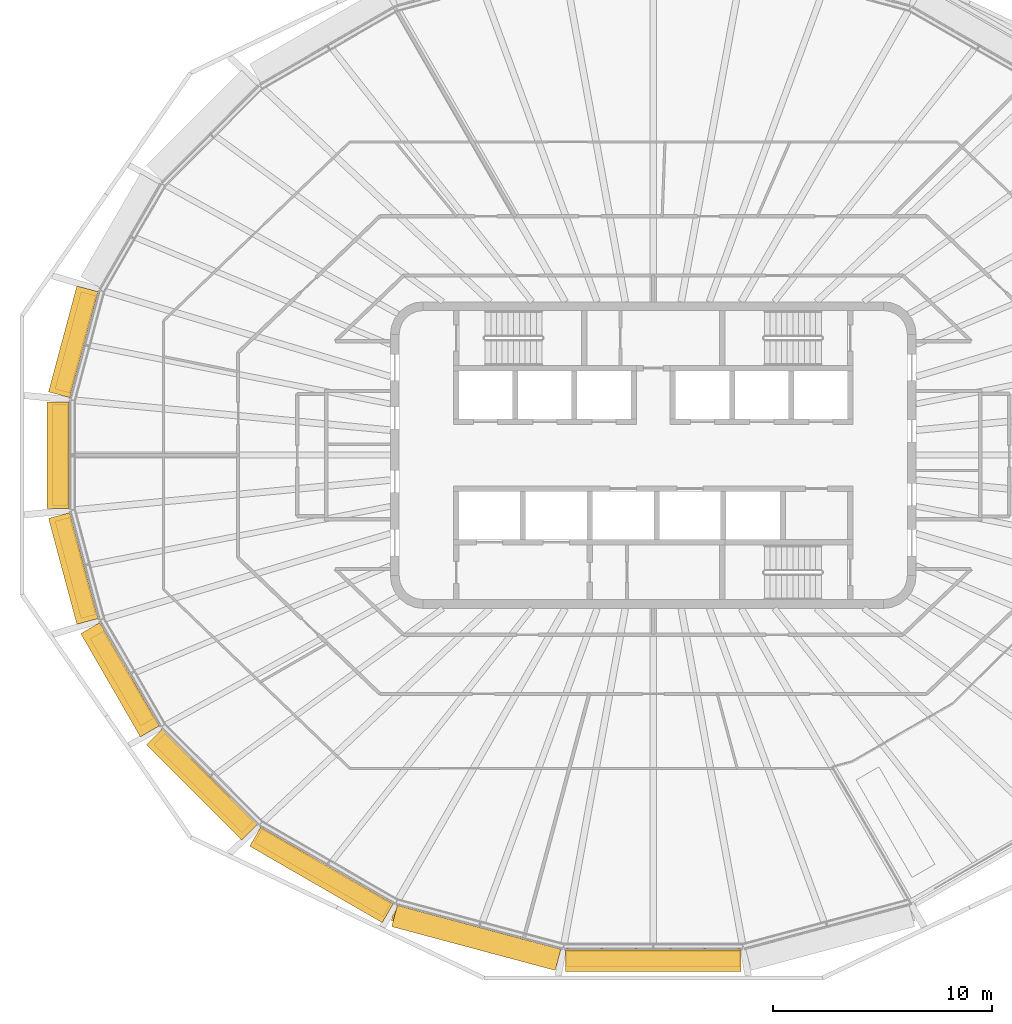
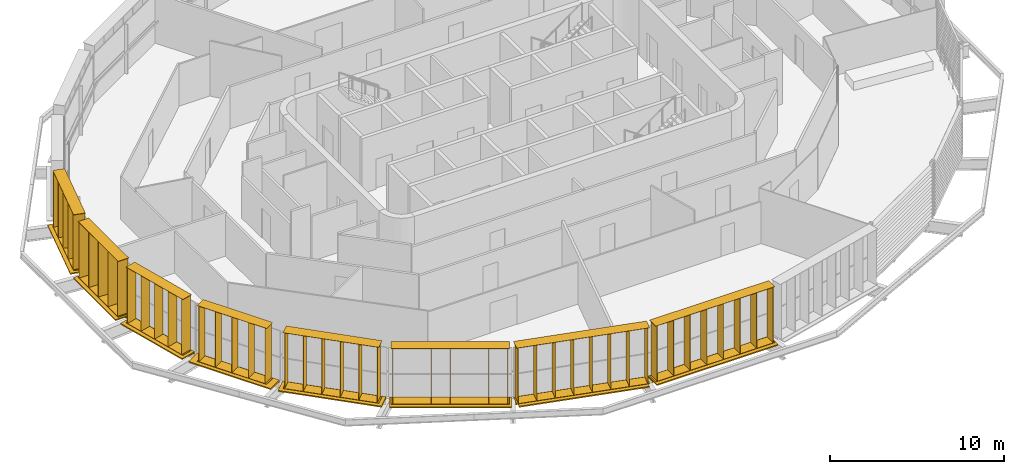
# One storey, part 16 of 21: 16 shading devices.
"""IFC4 building model written with IfcOpenShell, lengths in metres."""

from ifc_helpers import new_model, si_unit, direction, frame, origin, origin_2d, place, context, subcontext, project, spatial, rectangle, extrude, material, type_object, element, save


model = new_model("IFC4")

# Units and contexts
model_context = context("Model", 3, precision=1e-05, world=origin(), true_north=direction((0.0, 1.0)))
body_context = subcontext(model_context, "Body", "Model", "MODEL_VIEW")
ifc_project = project(units=[si_unit("LENGTHUNIT", "METRE"), si_unit("AREAUNIT", "SQUARE_METRE"), si_unit("VOLUMEUNIT", "CUBIC_METRE"), si_unit("PLANEANGLEUNIT", "RADIAN"), si_unit("MASSUNIT", "GRAM", prefix="KILO")], contexts=[model_context])

# Site, building, storey
site_placement = place(None, origin())
site = spatial("IfcSite", under=ifc_project, at=site_placement, CompositionType="ELEMENT")
building_placement = place(site_placement, origin())
building = spatial("IfcBuilding", under=site, at=building_placement, Name="Sahrelin Media Tower", CompositionType="ELEMENT")
storey_placement = place(building_placement, frame((0.0, 0.0, 304.39990234375)))
storey = spatial("IfcBuildingStorey", under=building, at=storey_placement, Name="L67", CompositionType="ELEMENT", Elevation=304.39990234375)

# Shading devices
ifc_material = material(Name="Champagne anodised aluminium 6063-T6", Category="aluminium")
shading_device_type_1 = type_object("IfcShadingDeviceType", Name="Fin cassette", PredefinedType="USERDEFINED", material=ifc_material)
placement_1 = place(storey_placement, frame((-25.970703125, 5.039306640625, 0.0), z_axis=(0.0, 0.0, 1.0), x_axis=(0.258807731996, 0.965928857556, 0.0)))
element("IfcShadingDevice", 1, at=placement_1, inside=storey, type_object=shading_device_type_1, Name="L67:FIN:L67-11", ObjectType="FIN", PredefinedType="USERDEFINED", context=body_context, shape_type="SweptSolid", body=[
    extrude(rectangle(XDim=4.60009765625, YDim=0.699951171875, at=origin_2d()), frame((0.0, 0.419921875, 0.0)), (0.0, 0.0, 1.0), 0.02001953125),
    extrude(rectangle(XDim=4.60009765625, YDim=0.699951171875, at=origin_2d()), frame((0.0, 0.419921875, 3.89990234375)), (0.0, 0.0, 1.0), 0.02001953125),
    extrude(rectangle(XDim=0.02001953125, YDim=0.699951171875, at=origin_2d()), frame((-2.199951171875, 0.419921875, 0.010009765625), z_axis=(0.0, 0.0, 1.0), x_axis=(1.0, 0.0, 0.0)), (0.0, 0.0, 1.0), 3.89990234375),
    extrude(rectangle(XDim=0.02001953125, YDim=0.699951171875, at=origin_2d()), frame((-1.10009765625, 0.419921875, 0.010009765625), z_axis=(0.0, 0.0, 1.0), x_axis=(1.0, 0.0, 0.0)), (0.0, 0.0, 1.0), 3.89990234375),
    extrude(rectangle(XDim=0.02001953125, YDim=0.699951171875, at=origin_2d()), frame((0.0, 0.419921875, 0.010009765625), z_axis=(0.0, 0.0, 1.0), x_axis=(1.0, 0.0, 0.0)), (0.0, 0.0, 1.0), 3.89990234375),
    extrude(rectangle(XDim=0.02001953125, YDim=0.699951171875, at=origin_2d()), frame((1.10009765625, 0.419921875, 0.010009765625), z_axis=(0.0, 0.0, 1.0), x_axis=(1.0, 0.0, 0.0)), (0.0, 0.0, 1.0), 3.89990234375),
    extrude(rectangle(XDim=0.02001953125, YDim=0.699951171875, at=origin_2d()), frame((2.199951171875, 0.419921875, 0.010009765625), z_axis=(0.0, 0.0, 1.0), x_axis=(1.0, 0.0, 0.0)), (0.0, 0.0, 1.0), 3.89990234375),
])
placement_2 = place(storey_placement, frame((-26.643798828125, 0.0, 0.0), z_axis=(0.0, 0.0, 1.0), x_axis=(0.0, 1.0, 0.0)))
element("IfcShadingDevice", 2, at=placement_2, inside=storey, type_object=shading_device_type_1, Name="L67:FIN:L67-12", ObjectType="FIN", PredefinedType="USERDEFINED", context=body_context, shape_type="SweptSolid", body=[
    extrude(rectangle(XDim=4.60009765625, YDim=0.699951171875, at=origin_2d()), frame((0.0, 0.419921875, 0.0)), (0.0, 0.0, 1.0), 0.02001953125),
    extrude(rectangle(XDim=4.60009765625, YDim=0.699951171875, at=origin_2d()), frame((0.0, 0.419921875, 3.89990234375)), (0.0, 0.0, 1.0), 0.02001953125),
    extrude(rectangle(XDim=0.02001953125, YDim=0.699951171875, at=origin_2d()), frame((-2.199951171875, 0.419921875, 0.010009765625), z_axis=(0.0, 0.0, 1.0), x_axis=(1.0, 0.0, 0.0)), (0.0, 0.0, 1.0), 3.89990234375),
    extrude(rectangle(XDim=0.02001953125, YDim=0.699951171875, at=origin_2d()), frame((-1.10009765625, 0.419921875, 0.010009765625), z_axis=(0.0, 0.0, 1.0), x_axis=(1.0, 0.0, 0.0)), (0.0, 0.0, 1.0), 3.89990234375),
    extrude(rectangle(XDim=0.02001953125, YDim=0.699951171875, at=origin_2d()), frame((0.0, 0.419921875, 0.010009765625), z_axis=(0.0, 0.0, 1.0), x_axis=(1.0, 0.0, 0.0)), (0.0, 0.0, 1.0), 3.89990234375),
    extrude(rectangle(XDim=0.02001953125, YDim=0.699951171875, at=origin_2d()), frame((1.10009765625, 0.419921875, 0.010009765625), z_axis=(0.0, 0.0, 1.0), x_axis=(1.0, 0.0, 0.0)), (0.0, 0.0, 1.0), 3.89990234375),
    extrude(rectangle(XDim=0.02001953125, YDim=0.699951171875, at=origin_2d()), frame((2.199951171875, 0.419921875, 0.010009765625), z_axis=(0.0, 0.0, 1.0), x_axis=(1.0, 0.0, 0.0)), (0.0, 0.0, 1.0), 3.89990234375),
])
placement_3 = place(storey_placement, frame((-25.970703125, -5.039306640625, 0.0), z_axis=(0.0, 0.0, 1.0), x_axis=(-0.258807731996, 0.965928857556, 0.0)))
element("IfcShadingDevice", 3, at=placement_3, inside=storey, type_object=shading_device_type_1, Name="L67:FIN:L67-13", ObjectType="FIN", PredefinedType="USERDEFINED", context=body_context, shape_type="SweptSolid", body=[
    extrude(rectangle(XDim=4.60009765625, YDim=0.699951171875, at=origin_2d()), frame((0.0, 0.419921875, 0.0)), (0.0, 0.0, 1.0), 0.02001953125),
    extrude(rectangle(XDim=4.60009765625, YDim=0.699951171875, at=origin_2d()), frame((0.0, 0.419921875, 3.89990234375)), (0.0, 0.0, 1.0), 0.02001953125),
    extrude(rectangle(XDim=0.02001953125, YDim=0.699951171875, at=origin_2d()), frame((-2.199951171875, 0.419921875, 0.010009765625), z_axis=(0.0, 0.0, 1.0), x_axis=(1.0, 0.0, 0.0)), (0.0, 0.0, 1.0), 3.89990234375),
    extrude(rectangle(XDim=0.02001953125, YDim=0.699951171875, at=origin_2d()), frame((-1.10009765625, 0.419921875, 0.010009765625), z_axis=(0.0, 0.0, 1.0), x_axis=(1.0, 0.0, 0.0)), (0.0, 0.0, 1.0), 3.89990234375),
    extrude(rectangle(XDim=0.02001953125, YDim=0.699951171875, at=origin_2d()), frame((0.0, 0.419921875, 0.010009765625), z_axis=(0.0, 0.0, 1.0), x_axis=(1.0, 0.0, 0.0)), (0.0, 0.0, 1.0), 3.89990234375),
    extrude(rectangle(XDim=0.02001953125, YDim=0.699951171875, at=origin_2d()), frame((1.10009765625, 0.419921875, 0.010009765625), z_axis=(0.0, 0.0, 1.0), x_axis=(1.0, 0.0, 0.0)), (0.0, 0.0, 1.0), 3.89990234375),
    extrude(rectangle(XDim=0.02001953125, YDim=0.699951171875, at=origin_2d()), frame((2.199951171875, 0.419921875, 0.010009765625), z_axis=(0.0, 0.0, 1.0), x_axis=(1.0, 0.0, 0.0)), (0.0, 0.0, 1.0), 3.89990234375),
])
placement_4 = place(storey_placement, frame((-23.88818359375, -9.992431640625, 0.0), z_axis=(0.0, 0.0, 1.0), x_axis=(-0.500011000363, 0.866019052629, 0.0)))
element("IfcShadingDevice", 4, at=placement_4, inside=storey, type_object=shading_device_type_1, Name="L67:FIN:L67-14", ObjectType="FIN", PredefinedType="USERDEFINED", context=body_context, shape_type="SweptSolid", body=[
    extrude(rectangle(XDim=4.60009765625, YDim=0.699951171875, at=origin_2d()), frame((0.0, 0.419921875, 0.0)), (0.0, 0.0, 1.0), 0.02001953125),
    extrude(rectangle(XDim=4.60009765625, YDim=0.699951171875, at=origin_2d()), frame((0.0, 0.419921875, 3.89990234375)), (0.0, 0.0, 1.0), 0.02001953125),
    extrude(rectangle(XDim=0.02001953125, YDim=0.699951171875, at=origin_2d()), frame((-2.199951171875, 0.419921875, 0.010009765625), z_axis=(0.0, 0.0, 1.0), x_axis=(1.0, 0.0, 0.0)), (0.0, 0.0, 1.0), 3.89990234375),
    extrude(rectangle(XDim=0.02001953125, YDim=0.699951171875, at=origin_2d()), frame((-1.10009765625, 0.419921875, 0.010009765625), z_axis=(0.0, 0.0, 1.0), x_axis=(1.0, 0.0, 0.0)), (0.0, 0.0, 1.0), 3.89990234375),
    extrude(rectangle(XDim=0.02001953125, YDim=0.699951171875, at=origin_2d()), frame((0.0, 0.419921875, 0.010009765625), z_axis=(0.0, 0.0, 1.0), x_axis=(1.0, 0.0, 0.0)), (0.0, 0.0, 1.0), 3.89990234375),
    extrude(rectangle(XDim=0.02001953125, YDim=0.699951171875, at=origin_2d()), frame((1.10009765625, 0.419921875, 0.010009765625), z_axis=(0.0, 0.0, 1.0), x_axis=(1.0, 0.0, 0.0)), (0.0, 0.0, 1.0), 3.89990234375),
    extrude(rectangle(XDim=0.02001953125, YDim=0.699951171875, at=origin_2d()), frame((2.199951171875, 0.419921875, 0.010009765625), z_axis=(0.0, 0.0, 1.0), x_axis=(1.0, 0.0, 0.0)), (0.0, 0.0, 1.0), 3.89990234375),
])
placement_5 = place(storey_placement, frame((-20.23779296875, -14.674560546875, 0.0), z_axis=(0.0, 0.0, 1.0), x_axis=(-0.707106781187, 0.707106781187, 0.0)))
element("IfcShadingDevice", 5, at=placement_5, inside=storey, type_object=shading_device_type_1, Name="L67:FIN:L67-15", ObjectType="FIN", PredefinedType="USERDEFINED", context=body_context, shape_type="SweptSolid", body=[
    extrude(rectangle(XDim=5.699951171875, YDim=0.699951171875, at=origin_2d()), frame((0.0, 0.419921875, 0.0)), (0.0, 0.0, 1.0), 0.02001953125),
    extrude(rectangle(XDim=5.699951171875, YDim=0.699951171875, at=origin_2d()), frame((0.0, 0.419921875, 3.89990234375)), (0.0, 0.0, 1.0), 0.02001953125),
    extrude(rectangle(XDim=0.02001953125, YDim=0.699951171875, at=origin_2d()), frame((-2.75, 0.419921875, 0.010009765625), z_axis=(0.0, 0.0, 1.0), x_axis=(1.0, 0.0, 0.0)), (0.0, 0.0, 1.0), 3.89990234375),
    extrude(rectangle(XDim=0.02001953125, YDim=0.699951171875, at=origin_2d()), frame((-1.64990234375, 0.419921875, 0.010009765625), z_axis=(0.0, 0.0, 1.0), x_axis=(1.0, 0.0, 0.0)), (0.0, 0.0, 1.0), 3.89990234375),
    extrude(rectangle(XDim=0.02001953125, YDim=0.699951171875, at=origin_2d()), frame((-0.550048828125, 0.419921875, 0.010009765625), z_axis=(0.0, 0.0, 1.0), x_axis=(1.0, 0.0, 0.0)), (0.0, 0.0, 1.0), 3.89990234375),
    extrude(rectangle(XDim=0.02001953125, YDim=0.699951171875, at=origin_2d()), frame((0.550048828125, 0.419921875, 0.010009765625), z_axis=(0.0, 0.0, 1.0), x_axis=(1.0, 0.0, 0.0)), (0.0, 0.0, 1.0), 3.89990234375),
    extrude(rectangle(XDim=0.02001953125, YDim=0.699951171875, at=origin_2d()), frame((1.64990234375, 0.419921875, 0.010009765625), z_axis=(0.0, 0.0, 1.0), x_axis=(1.0, 0.0, 0.0)), (0.0, 0.0, 1.0), 3.89990234375),
    extrude(rectangle(XDim=0.02001953125, YDim=0.699951171875, at=origin_2d()), frame((2.75, 0.419921875, 0.010009765625), z_axis=(0.0, 0.0, 1.0), x_axis=(1.0, 0.0, 0.0)), (0.0, 0.0, 1.0), 3.89990234375),
])
placement_6 = place(storey_placement, frame((-14.885009765625, -18.712158203125, 0.0), z_axis=(0.0, 0.0, 1.0), x_axis=(-0.866019052629, 0.500011000363, 0.0)))
element("IfcShadingDevice", 6, at=placement_6, inside=storey, type_object=shading_device_type_1, Name="L67:FIN:L67-16", ObjectType="FIN", PredefinedType="USERDEFINED", context=body_context, shape_type="SweptSolid", body=[
    extrude(rectangle(XDim=6.800048828125, YDim=0.699951171875, at=origin_2d()), frame((0.0, 0.419921875, 0.0)), (0.0, 0.0, 1.0), 0.02001953125),
    extrude(rectangle(XDim=6.800048828125, YDim=0.699951171875, at=origin_2d()), frame((0.0, 0.419921875, 3.89990234375)), (0.0, 0.0, 1.0), 0.02001953125),
    extrude(rectangle(XDim=0.02001953125, YDim=0.699951171875, at=origin_2d()), frame((-3.300048828125, 0.419921875, 0.010009765625), z_axis=(0.0, 0.0, 1.0), x_axis=(1.0, 0.0, 0.0)), (0.0, 0.0, 1.0), 3.89990234375),
    extrude(rectangle(XDim=0.02001953125, YDim=0.699951171875, at=origin_2d()), frame((-2.199951171875, 0.419921875, 0.010009765625), z_axis=(0.0, 0.0, 1.0), x_axis=(1.0, 0.0, 0.0)), (0.0, 0.0, 1.0), 3.89990234375),
    extrude(rectangle(XDim=0.02001953125, YDim=0.699951171875, at=origin_2d()), frame((-1.10009765625, 0.419921875, 0.010009765625), z_axis=(0.0, 0.0, 1.0), x_axis=(1.0, 0.0, 0.0)), (0.0, 0.0, 1.0), 3.89990234375),
    extrude(rectangle(XDim=0.02001953125, YDim=0.699951171875, at=origin_2d()), frame((0.0, 0.419921875, 0.010009765625), z_axis=(0.0, 0.0, 1.0), x_axis=(1.0, 0.0, 0.0)), (0.0, 0.0, 1.0), 3.89990234375),
    extrude(rectangle(XDim=0.02001953125, YDim=0.699951171875, at=origin_2d()), frame((1.10009765625, 0.419921875, 0.010009765625), z_axis=(0.0, 0.0, 1.0), x_axis=(1.0, 0.0, 0.0)), (0.0, 0.0, 1.0), 3.89990234375),
    extrude(rectangle(XDim=0.02001953125, YDim=0.699951171875, at=origin_2d()), frame((2.199951171875, 0.419921875, 0.010009765625), z_axis=(0.0, 0.0, 1.0), x_axis=(1.0, 0.0, 0.0)), (0.0, 0.0, 1.0), 3.89990234375),
    extrude(rectangle(XDim=0.02001953125, YDim=0.699951171875, at=origin_2d()), frame((3.300048828125, 0.419921875, 0.010009765625), z_axis=(0.0, 0.0, 1.0), x_axis=(1.0, 0.0, 0.0)), (0.0, 0.0, 1.0), 3.89990234375),
])
placement_7 = place(storey_placement, frame((-7.944091796875, -21.53466796875, 0.0), z_axis=(0.0, 0.0, 1.0), x_axis=(-0.965928857556, 0.258807731996, 0.0)))
element("IfcShadingDevice", 7, at=placement_7, inside=storey, type_object=shading_device_type_1, Name="L67:FIN:L67-17", ObjectType="FIN", PredefinedType="USERDEFINED", context=body_context, shape_type="SweptSolid", body=[
    extrude(rectangle(XDim=7.89990234375, YDim=0.699951171875, at=origin_2d()), frame((0.0, 0.419921875, 0.0)), (0.0, 0.0, 1.0), 0.02001953125),
    extrude(rectangle(XDim=7.89990234375, YDim=0.699951171875, at=origin_2d()), frame((0.0, 0.419921875, 3.89990234375)), (0.0, 0.0, 1.0), 0.02001953125),
    extrude(rectangle(XDim=0.02001953125, YDim=0.699951171875, at=origin_2d()), frame((-3.85009765625, 0.419921875, 0.010009765625), z_axis=(0.0, 0.0, 1.0), x_axis=(1.0, 0.0, 0.0)), (0.0, 0.0, 1.0), 3.89990234375),
    extrude(rectangle(XDim=0.02001953125, YDim=0.699951171875, at=origin_2d()), frame((-2.75, 0.419921875, 0.010009765625), z_axis=(0.0, 0.0, 1.0), x_axis=(1.0, 0.0, 0.0)), (0.0, 0.0, 1.0), 3.89990234375),
    extrude(rectangle(XDim=0.02001953125, YDim=0.699951171875, at=origin_2d()), frame((-1.64990234375, 0.419921875, 0.010009765625), z_axis=(0.0, 0.0, 1.0), x_axis=(1.0, 0.0, 0.0)), (0.0, 0.0, 1.0), 3.89990234375),
    extrude(rectangle(XDim=0.02001953125, YDim=0.699951171875, at=origin_2d()), frame((-0.550048828125, 0.419921875, 0.010009765625), z_axis=(0.0, 0.0, 1.0), x_axis=(1.0, 0.0, 0.0)), (0.0, 0.0, 1.0), 3.89990234375),
    extrude(rectangle(XDim=0.02001953125, YDim=0.699951171875, at=origin_2d()), frame((0.550048828125, 0.419921875, 0.010009765625), z_axis=(0.0, 0.0, 1.0), x_axis=(1.0, 0.0, 0.0)), (0.0, 0.0, 1.0), 3.89990234375),
    extrude(rectangle(XDim=0.02001953125, YDim=0.699951171875, at=origin_2d()), frame((1.64990234375, 0.419921875, 0.010009765625), z_axis=(0.0, 0.0, 1.0), x_axis=(1.0, 0.0, 0.0)), (0.0, 0.0, 1.0), 3.89990234375),
    extrude(rectangle(XDim=0.02001953125, YDim=0.699951171875, at=origin_2d()), frame((2.75, 0.419921875, 0.010009765625), z_axis=(0.0, 0.0, 1.0), x_axis=(1.0, 0.0, 0.0)), (0.0, 0.0, 1.0), 3.89990234375),
    extrude(rectangle(XDim=0.02001953125, YDim=0.699951171875, at=origin_2d()), frame((3.85009765625, 0.419921875, 0.010009765625), z_axis=(0.0, 0.0, 1.0), x_axis=(1.0, 0.0, 0.0)), (0.0, 0.0, 1.0), 3.89990234375),
])
placement_8 = place(storey_placement, frame((0.0, -22.560791015625, 0.0), z_axis=(0.0, 0.0, 1.0), x_axis=(-1.0, 0.0, 0.0)))
element("IfcShadingDevice", 8, at=placement_8, inside=storey, type_object=shading_device_type_1, Name="L67:FIN:L67-18", ObjectType="FIN", PredefinedType="USERDEFINED", context=body_context, shape_type="SweptSolid", body=[
    extrude(rectangle(XDim=7.89990234375, YDim=0.699951171875, at=origin_2d()), frame((0.0, 0.419921875, 0.0)), (0.0, 0.0, 1.0), 0.02001953125),
    extrude(rectangle(XDim=7.89990234375, YDim=0.699951171875, at=origin_2d()), frame((0.0, 0.419921875, 3.89990234375)), (0.0, 0.0, 1.0), 0.02001953125),
    extrude(rectangle(XDim=0.02001953125, YDim=0.699951171875, at=origin_2d()), frame((-3.85009765625, 0.419921875, 0.010009765625), z_axis=(0.0, 0.0, 1.0), x_axis=(1.0, 0.0, 0.0)), (0.0, 0.0, 1.0), 3.89990234375),
    extrude(rectangle(XDim=0.02001953125, YDim=0.699951171875, at=origin_2d()), frame((-2.75, 0.419921875, 0.010009765625), z_axis=(0.0, 0.0, 1.0), x_axis=(1.0, 0.0, 0.0)), (0.0, 0.0, 1.0), 3.89990234375),
    extrude(rectangle(XDim=0.02001953125, YDim=0.699951171875, at=origin_2d()), frame((-1.64990234375, 0.419921875, 0.010009765625), z_axis=(0.0, 0.0, 1.0), x_axis=(1.0, 0.0, 0.0)), (0.0, 0.0, 1.0), 3.89990234375),
    extrude(rectangle(XDim=0.02001953125, YDim=0.699951171875, at=origin_2d()), frame((-0.550048828125, 0.419921875, 0.010009765625), z_axis=(0.0, 0.0, 1.0), x_axis=(1.0, 0.0, 0.0)), (0.0, 0.0, 1.0), 3.89990234375),
    extrude(rectangle(XDim=0.02001953125, YDim=0.699951171875, at=origin_2d()), frame((0.550048828125, 0.419921875, 0.010009765625), z_axis=(0.0, 0.0, 1.0), x_axis=(1.0, 0.0, 0.0)), (0.0, 0.0, 1.0), 3.89990234375),
    extrude(rectangle(XDim=0.02001953125, YDim=0.699951171875, at=origin_2d()), frame((1.64990234375, 0.419921875, 0.010009765625), z_axis=(0.0, 0.0, 1.0), x_axis=(1.0, 0.0, 0.0)), (0.0, 0.0, 1.0), 3.89990234375),
    extrude(rectangle(XDim=0.02001953125, YDim=0.699951171875, at=origin_2d()), frame((2.75, 0.419921875, 0.010009765625), z_axis=(0.0, 0.0, 1.0), x_axis=(1.0, 0.0, 0.0)), (0.0, 0.0, 1.0), 3.89990234375),
    extrude(rectangle(XDim=0.02001953125, YDim=0.699951171875, at=origin_2d()), frame((3.85009765625, 0.419921875, 0.010009765625), z_axis=(0.0, 0.0, 1.0), x_axis=(1.0, 0.0, 0.0)), (0.0, 0.0, 1.0), 3.89990234375),
])
shading_device_type_2 = type_object("IfcShadingDeviceType", Name="Sunshade band", PredefinedType="USERDEFINED", material=ifc_material)
element("IfcShadingDevice", 9, at=placement_1, inside=storey, type_object=shading_device_type_2, Name="L67:SUN:L67-11", ObjectType="SUNSHADE", PredefinedType="USERDEFINED", context=body_context, shape_type="SweptSolid", body=[
    extrude(rectangle(XDim=5.0009765625, YDim=0.050048828125, at=origin_2d()), frame((0.0, 0.044921875, -0.55126953125)), (0.0, 0.0, 1.0), 0.471435546875),
    extrude(rectangle(XDim=5.0009765625, YDim=1.0, at=origin_2d()), frame((0.0, 0.52001953125, -0.080078125)), (0.0, 0.0, 1.0), 0.080078125),
    extrude(rectangle(XDim=0.10009765625, YDim=0.074951171875, at=origin_2d()), frame((-2.400390625, -0.017578125, -0.47021484375)), (0.0, 0.0, 1.0), 0.300048828125),
    extrude(rectangle(XDim=0.10009765625, YDim=0.074951171875, at=origin_2d()), frame((-0.80029296875, -0.017578125, -0.47021484375)), (0.0, 0.0, 1.0), 0.300048828125),
    extrude(rectangle(XDim=0.10009765625, YDim=0.074951171875, at=origin_2d()), frame((0.80029296875, -0.017578125, -0.47021484375)), (0.0, 0.0, 1.0), 0.300048828125),
    extrude(rectangle(XDim=0.10009765625, YDim=0.074951171875, at=origin_2d()), frame((2.400390625, -0.017578125, -0.47021484375)), (0.0, 0.0, 1.0), 0.300048828125),
])
element("IfcShadingDevice", 10, at=placement_2, inside=storey, type_object=shading_device_type_2, Name="L67:SUN:L67-12", ObjectType="SUNSHADE", PredefinedType="USERDEFINED", context=body_context, shape_type="SweptSolid", body=[
    extrude(rectangle(XDim=4.8544921875, YDim=0.050048828125, at=origin_2d()), frame((0.0, 0.044921875, -0.55126953125)), (0.0, 0.0, 1.0), 0.471435546875),
    extrude(rectangle(XDim=4.8544921875, YDim=1.0, at=origin_2d()), frame((0.0, 0.52001953125, -0.080078125)), (0.0, 0.0, 1.0), 0.080078125),
    extrude(rectangle(XDim=0.10009765625, YDim=0.074951171875, at=origin_2d()), frame((-2.327392578125, -0.017578125, -0.47021484375)), (0.0, 0.0, 1.0), 0.300048828125),
    extrude(rectangle(XDim=0.10009765625, YDim=0.074951171875, at=origin_2d()), frame((-0.77587890625, -0.017578125, -0.47021484375)), (0.0, 0.0, 1.0), 0.300048828125),
    extrude(rectangle(XDim=0.10009765625, YDim=0.074951171875, at=origin_2d()), frame((0.77587890625, -0.017578125, -0.47021484375)), (0.0, 0.0, 1.0), 0.300048828125),
    extrude(rectangle(XDim=0.10009765625, YDim=0.074951171875, at=origin_2d()), frame((2.327392578125, -0.017578125, -0.47021484375)), (0.0, 0.0, 1.0), 0.300048828125),
])
element("IfcShadingDevice", 11, at=placement_3, inside=storey, type_object=shading_device_type_2, Name="L67:SUN:L67-13", ObjectType="SUNSHADE", PredefinedType="USERDEFINED", context=body_context, shape_type="SweptSolid", body=[
    extrude(rectangle(XDim=5.0009765625, YDim=0.050048828125, at=origin_2d()), frame((0.0, 0.044921875, -0.55126953125)), (0.0, 0.0, 1.0), 0.471435546875),
    extrude(rectangle(XDim=5.0009765625, YDim=1.0, at=origin_2d()), frame((0.0, 0.52001953125, -0.080078125)), (0.0, 0.0, 1.0), 0.080078125),
    extrude(rectangle(XDim=0.10009765625, YDim=0.074951171875, at=origin_2d()), frame((-2.400390625, -0.017578125, -0.47021484375)), (0.0, 0.0, 1.0), 0.300048828125),
    extrude(rectangle(XDim=0.10009765625, YDim=0.074951171875, at=origin_2d()), frame((-0.80029296875, -0.017578125, -0.47021484375)), (0.0, 0.0, 1.0), 0.300048828125),
    extrude(rectangle(XDim=0.10009765625, YDim=0.074951171875, at=origin_2d()), frame((0.80029296875, -0.017578125, -0.47021484375)), (0.0, 0.0, 1.0), 0.300048828125),
    extrude(rectangle(XDim=0.10009765625, YDim=0.074951171875, at=origin_2d()), frame((2.400390625, -0.017578125, -0.47021484375)), (0.0, 0.0, 1.0), 0.300048828125),
])
element("IfcShadingDevice", 12, at=placement_4, inside=storey, type_object=shading_device_type_2, Name="L67:SUN:L67-14", ObjectType="SUNSHADE", PredefinedType="USERDEFINED", context=body_context, shape_type="SweptSolid", body=[
    extrude(rectangle(XDim=5.438232421875, YDim=0.050048828125, at=origin_2d()), frame((0.0, 0.044921875, -0.55126953125)), (0.0, 0.0, 1.0), 0.471435546875),
    extrude(rectangle(XDim=5.438232421875, YDim=1.0, at=origin_2d()), frame((0.0, 0.52001953125, -0.080078125)), (0.0, 0.0, 1.0), 0.080078125),
    extrude(rectangle(XDim=0.10009765625, YDim=0.074951171875, at=origin_2d()), frame((-2.619140625, -0.017578125, -0.47021484375)), (0.0, 0.0, 1.0), 0.300048828125),
    extrude(rectangle(XDim=0.10009765625, YDim=0.074951171875, at=origin_2d()), frame((-0.873046875, -0.017578125, -0.47021484375)), (0.0, 0.0, 1.0), 0.300048828125),
    extrude(rectangle(XDim=0.10009765625, YDim=0.074951171875, at=origin_2d()), frame((0.873046875, -0.017578125, -0.47021484375)), (0.0, 0.0, 1.0), 0.300048828125),
    extrude(rectangle(XDim=0.10009765625, YDim=0.074951171875, at=origin_2d()), frame((2.619140625, -0.017578125, -0.47021484375)), (0.0, 0.0, 1.0), 0.300048828125),
])
element("IfcShadingDevice", 13, at=placement_5, inside=storey, type_object=shading_device_type_2, Name="L67:SUN:L67-15", ObjectType="SUNSHADE", PredefinedType="USERDEFINED", context=body_context, shape_type="SweptSolid", body=[
    extrude(rectangle(XDim=6.1376953125, YDim=0.050048828125, at=origin_2d()), frame((0.0, 0.044921875, -0.55126953125)), (0.0, 0.0, 1.0), 0.471435546875),
    extrude(rectangle(XDim=6.1376953125, YDim=1.0, at=origin_2d()), frame((0.0, 0.52001953125, -0.080078125)), (0.0, 0.0, 1.0), 0.080078125),
    extrude(rectangle(XDim=0.10009765625, YDim=0.074951171875, at=origin_2d()), frame((-2.968994140625, -0.017578125, -0.47021484375)), (0.0, 0.0, 1.0), 0.300048828125),
    extrude(rectangle(XDim=0.10009765625, YDim=0.074951171875, at=origin_2d()), frame((-1.484375, -0.017578125, -0.47021484375)), (0.0, 0.0, 1.0), 0.300048828125),
    extrude(rectangle(XDim=0.10009765625, YDim=0.074951171875, at=origin_2d()), frame((0.0, -0.017578125, -0.47021484375)), (0.0, 0.0, 1.0), 0.300048828125),
    extrude(rectangle(XDim=0.10009765625, YDim=0.074951171875, at=origin_2d()), frame((1.484375, -0.017578125, -0.47021484375)), (0.0, 0.0, 1.0), 0.300048828125),
    extrude(rectangle(XDim=0.10009765625, YDim=0.074951171875, at=origin_2d()), frame((2.968994140625, -0.017578125, -0.47021484375)), (0.0, 0.0, 1.0), 0.300048828125),
])
element("IfcShadingDevice", 14, at=placement_6, inside=storey, type_object=shading_device_type_2, Name="L67:SUN:L67-16", ObjectType="SUNSHADE", PredefinedType="USERDEFINED", context=body_context, shape_type="SweptSolid", body=[
    extrude(rectangle(XDim=6.98681640625, YDim=0.050048828125, at=origin_2d()), frame((0.0, 0.044921875, -0.55126953125)), (0.0, 0.0, 1.0), 0.471435546875),
    extrude(rectangle(XDim=6.98681640625, YDim=1.0, at=origin_2d()), frame((0.0, 0.52001953125, -0.080078125)), (0.0, 0.0, 1.0), 0.080078125),
    extrude(rectangle(XDim=0.10009765625, YDim=0.074951171875, at=origin_2d()), frame((-3.393310546875, -0.017578125, -0.47021484375)), (0.0, 0.0, 1.0), 0.300048828125),
    extrude(rectangle(XDim=0.10009765625, YDim=0.074951171875, at=origin_2d()), frame((-1.69677734375, -0.017578125, -0.47021484375)), (0.0, 0.0, 1.0), 0.300048828125),
    extrude(rectangle(XDim=0.10009765625, YDim=0.074951171875, at=origin_2d()), frame((0.0, -0.017578125, -0.47021484375)), (0.0, 0.0, 1.0), 0.300048828125),
    extrude(rectangle(XDim=0.10009765625, YDim=0.074951171875, at=origin_2d()), frame((1.69677734375, -0.017578125, -0.47021484375)), (0.0, 0.0, 1.0), 0.300048828125),
    extrude(rectangle(XDim=0.10009765625, YDim=0.074951171875, at=origin_2d()), frame((3.393310546875, -0.017578125, -0.47021484375)), (0.0, 0.0, 1.0), 0.300048828125),
])
element("IfcShadingDevice", 15, at=placement_7, inside=storey, type_object=shading_device_type_2, Name="L67:SUN:L67-17", ObjectType="SUNSHADE", PredefinedType="USERDEFINED", context=body_context, shape_type="SweptSolid", body=[
    extrude(rectangle(XDim=7.728271484375, YDim=0.050048828125, at=origin_2d()), frame((0.0, 0.044921875, -0.55126953125)), (0.0, 0.0, 1.0), 0.471435546875),
    extrude(rectangle(XDim=7.728271484375, YDim=1.0, at=origin_2d()), frame((0.0, 0.52001953125, -0.080078125)), (0.0, 0.0, 1.0), 0.080078125),
    extrude(rectangle(XDim=0.10009765625, YDim=0.074951171875, at=origin_2d()), frame((-3.76416015625, -0.017578125, -0.47021484375)), (0.0, 0.0, 1.0), 0.300048828125),
    extrude(rectangle(XDim=0.10009765625, YDim=0.074951171875, at=origin_2d()), frame((-1.882080078125, -0.017578125, -0.47021484375)), (0.0, 0.0, 1.0), 0.300048828125),
    extrude(rectangle(XDim=0.10009765625, YDim=0.074951171875, at=origin_2d()), frame((0.0, -0.017578125, -0.47021484375)), (0.0, 0.0, 1.0), 0.300048828125),
    extrude(rectangle(XDim=0.10009765625, YDim=0.074951171875, at=origin_2d()), frame((1.882080078125, -0.017578125, -0.47021484375)), (0.0, 0.0, 1.0), 0.300048828125),
    extrude(rectangle(XDim=0.10009765625, YDim=0.074951171875, at=origin_2d()), frame((3.76416015625, -0.017578125, -0.47021484375)), (0.0, 0.0, 1.0), 0.300048828125),
])
element("IfcShadingDevice", 16, at=placement_8, inside=storey, type_object=shading_device_type_2, Name="L67:SUN:L67-18", ObjectType="SUNSHADE", PredefinedType="USERDEFINED", context=body_context, shape_type="SweptSolid", body=[
    extrude(rectangle(XDim=8.030029296875, YDim=0.050048828125, at=origin_2d()), frame((0.0, 0.044921875, -0.55126953125)), (0.0, 0.0, 1.0), 0.471435546875),
    extrude(rectangle(XDim=8.030029296875, YDim=1.0, at=origin_2d()), frame((0.0, 0.52001953125, -0.080078125)), (0.0, 0.0, 1.0), 0.080078125),
    extrude(rectangle(XDim=0.10009765625, YDim=0.074951171875, at=origin_2d()), frame((-3.9150390625, -0.017578125, -0.47021484375)), (0.0, 0.0, 1.0), 0.300048828125),
    extrude(rectangle(XDim=0.10009765625, YDim=0.074951171875, at=origin_2d()), frame((-2.34912109375, -0.017578125, -0.47021484375)), (0.0, 0.0, 1.0), 0.300048828125),
    extrude(rectangle(XDim=0.10009765625, YDim=0.074951171875, at=origin_2d()), frame((-0.782958984375, -0.017578125, -0.47021484375)), (0.0, 0.0, 1.0), 0.300048828125),
    extrude(rectangle(XDim=0.10009765625, YDim=0.074951171875, at=origin_2d()), frame((0.782958984375, -0.017578125, -0.47021484375)), (0.0, 0.0, 1.0), 0.300048828125),
    extrude(rectangle(XDim=0.10009765625, YDim=0.074951171875, at=origin_2d()), frame((2.34912109375, -0.017578125, -0.47021484375)), (0.0, 0.0, 1.0), 0.300048828125),
    extrude(rectangle(XDim=0.10009765625, YDim=0.074951171875, at=origin_2d()), frame((3.9150390625, -0.017578125, -0.47021484375)), (0.0, 0.0, 1.0), 0.300048828125),
])

save(model, "model.ifc")
